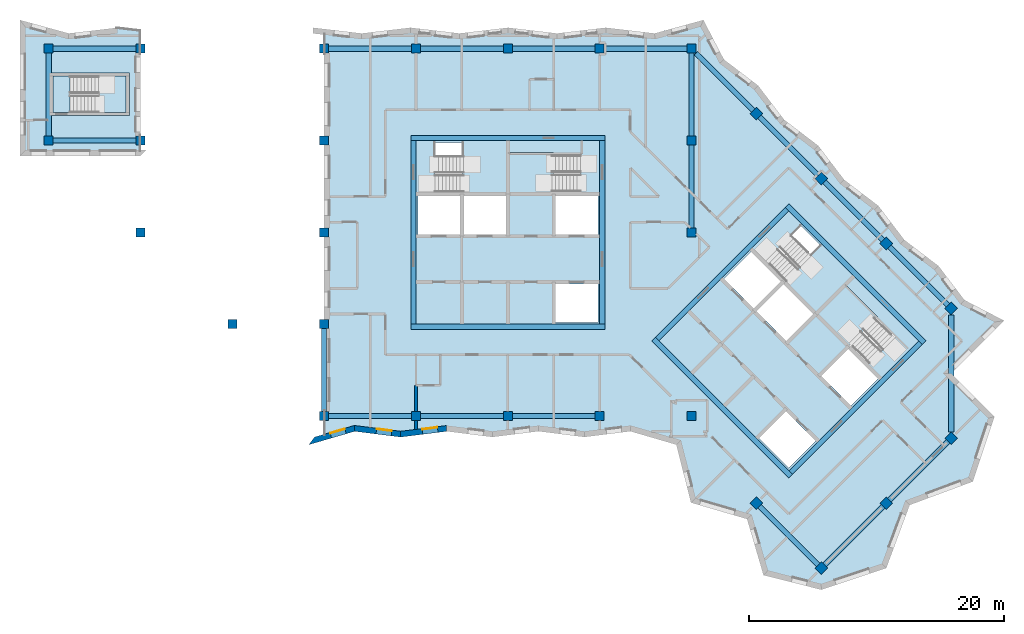
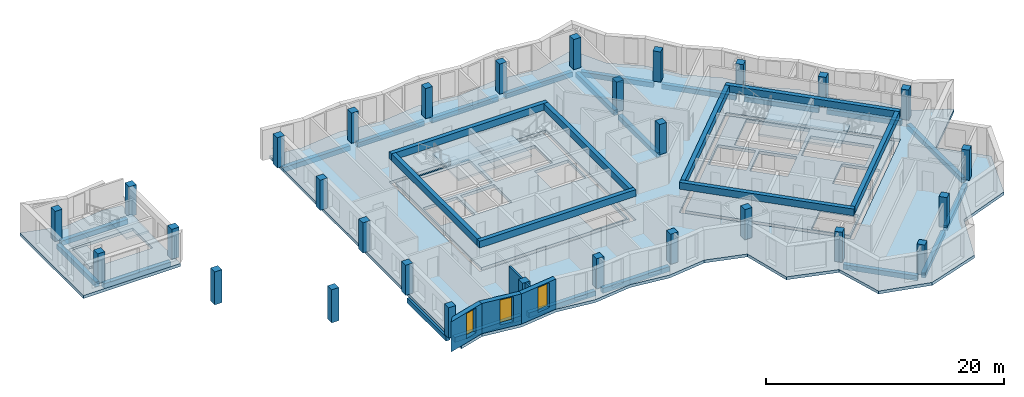
# One storey, part 1 of 12: 29 beams, 29 columns, 10 slabs, 5 walls, 3 windows, 18 openings, 5 elements without a shape of their own.
"""IFC4 building model written with IfcOpenShell, lengths in metres."""

from ifc_helpers import new_model, si_unit, direction, frame, frame_2d, origin, origin_2d, place, context, subcontext, project, spatial, polyline, rectangle, outline, extrude, material, layer, layer_set, material_profile, profile_set, type_object, element, fill, aggregate, save


model = new_model("IFC4")

# Units and contexts
model_context = context("Model", 3, precision=1e-05, world=origin(), true_north=direction((0.0, 1.0)))
body_context = subcontext(model_context, "Body", "Model", "MODEL_VIEW")
ifc_project = project(units=[si_unit("LENGTHUNIT", "METRE"), si_unit("AREAUNIT", "SQUARE_METRE"), si_unit("VOLUMEUNIT", "CUBIC_METRE"), si_unit("PLANEANGLEUNIT", "RADIAN"), si_unit("MASSUNIT", "GRAM", prefix="KILO")], contexts=[model_context])

# Site, building, storey
site_placement = place(None, origin())
site = spatial("IfcSite", under=ifc_project, at=site_placement, CompositionType="ELEMENT")
building_placement = place(site_placement, origin())
building = spatial("IfcBuilding", under=site, at=building_placement, Name="Windrow Commons", CompositionType="ELEMENT")
storey_placement = place(building_placement, frame((0.0, 0.0, 260.8)))
storey = spatial("IfcBuildingStorey", under=building, at=storey_placement, Name="L71", CompositionType="ELEMENT", Elevation=260.8)

# Columns
ifc_material_1 = material(Name="Concrete C40/50", Category="concrete")
ifc_material_profile_1 = material_profile(ifc_material_1, rectangle(XDim=0.7, YDim=0.7, at=origin_2d()))
ifc_profile_set_1 = profile_set([ifc_material_profile_1], Name="Concrete C40/50")
column_type = type_object("IfcColumnType", Name="RC COLUMN 700x700 C40/50", PredefinedType="COLUMN", material=ifc_profile_set_1)
for number, where, z_axis, x_axis, name in (
    (1, (28.8, 64.8, 0.0), (0.0, 0.0, 1.0), (1.0, 0.0, 0.0), "C-Z5-05I"),
    (2, (28.8, 72.0, 0.0), (0.0, 0.0, 1.0), (1.0, 0.0, 0.0), "C-Z5-05J"),
    (3, (36.0, 64.8, 0.0), (0.0, 0.0, 1.0), (1.0, 0.0, 0.0), "C-Z5-06I"),
    (4, (36.0, 72.0, 0.0), (0.0, 0.0, 1.0), (1.0, 0.0, 0.0), "C-Z5-06J"),
    (5, (50.4, 43.2, 0.0), (0.0, 0.0, 1.0), (1.0, 0.0, 0.0), "C-Z5-08F"),
    (6, (50.4, 50.4, 0.0), (0.0, 0.0, 1.0), (1.0, 0.0, 0.0), "C-Z5-08G"),
    (7, (50.4, 57.6, 0.0), (0.0, 0.0, 1.0), (1.0, 0.0, 0.0), "C-Z5-08H"),
    (8, (50.4, 64.8, 0.0), (0.0, 0.0, 1.0), (1.0, 0.0, 0.0), "C-Z5-08I"),
    (9, (50.4, 72.0, 0.0), (0.0, 0.0, 1.0), (1.0, 0.0, 0.0), "C-Z5-08J"),
    (10, (57.6, 43.2, 0.0), (0.0, 0.0, 1.0), (1.0, 0.0, 0.0), "C-Z5-09F"),
    (11, (57.6, 72.0, 0.0), (0.0, 0.0, 1.0), (1.0, 0.0, 0.0), "C-Z5-09J"),
    (12, (64.8, 43.2, 0.0), (0.0, 0.0, 1.0), (1.0, 0.0, 0.0), "C-Z5-10F"),
    (13, (64.8, 72.0, 0.0), (0.0, 0.0, 1.0), (1.0, 0.0, 0.0), "C-Z5-10J"),
    (14, (72.0, 43.2, 0.0), (0.0, 0.0, 1.0), (1.0, 0.0, 0.0), "C-Z5-11F"),
    (15, (72.0, 72.0, 0.0), (0.0, 0.0, 1.0), (1.0, 0.0, 0.0), "C-Z5-11J"),
    (16, (79.2, 43.2, 0.0), (0.0, 0.0, 1.0), (1.0, 0.0, 0.0), "C-Z5-12F"),
    (17, (79.2, 57.6, 0.0), (0.0, 0.0, 1.0), (1.0, 0.0, 0.0), "C-Z5-12H"),
    (18, (79.2, 64.8, 0.0), (0.0, 0.0, 1.0), (1.0, 0.0, 0.0), "C-Z5-12I"),
    (19, (79.2, 72.0, 0.0), (0.0, 0.0, 1.0), (1.0, 0.0, 0.0), "C-Z5-12J"),
    (20, (84.2912, 66.9088, 0.0), (0.0, 0.0, 1.0), (0.7071067812, -0.7071067812, 0.0), "C-Z5-P2Q"),
    (21, (89.3823, 61.8177, 0.0), (0.0, 0.0, 1.0), (0.7071067812, -0.7071067812, 0.0), "C-Z5-P3Q"),
    (22, (94.4735, 56.7265, 0.0), (0.0, 0.0, 1.0), (0.7071067812, -0.7071067812, 0.0), "C-Z5-P4Q"),
    (23, (99.5647, 51.6353, 0.0), (0.0, 0.0, 1.0), (0.7071067812, -0.7071067812, 0.0), "C-Z5-P5Q"),
    (24, (84.2912, 36.3618, 0.0), (0.0, 0.0, 1.0), (0.7071067812, -0.7071067812, 0.0), "C-Z5-P5T"),
    (25, (99.5647, 41.453, 0.0), (0.0, 0.0, 1.0), (0.7071067812, -0.7071067812, 0.0), "C-Z5-P6R"),
    (26, (94.4735, 36.3618, 0.0), (0.0, 0.0, 1.0), (0.7071067812, -0.7071067812, 0.0), "C-Z5-P6S"),
    (27, (89.3823, 31.2706, 0.0), (0.0, 0.0, 1.0), (0.7071067812, -0.7071067812, 0.0), "C-Z5-P6T"),
):
    element("IfcColumn", number, at=place(storey_placement, frame(where, z_axis=z_axis, x_axis=x_axis)), inside=storey, type_object=column_type, Name=name, PredefinedType="COLUMN", context=body_context, shape_type="SweptSolid", body=[
        extrude(rectangle(XDim=0.7, YDim=0.7, at=origin_2d()), origin(), (0.0, 0.0, 1.0), 3.1),
    ])
for number, where, z_axis, x_axis, name in (
    (28, (36.0, 57.6, -0.3), (0.0, 0.0, 1.0), (1.0, 0.0, 0.0), "C-Z5-06H"),
    (29, (43.2, 50.4, -0.3), (0.0, 0.0, 1.0), (1.0, 0.0, 0.0), "C-Z5-07G"),
):
    element("IfcColumn", number, at=place(storey_placement, frame(where, z_axis=z_axis, x_axis=x_axis)), inside=storey, type_object=column_type, Name=name, PredefinedType="COLUMN", context=body_context, shape_type="SweptSolid", body=[
        extrude(rectangle(XDim=0.7, YDim=0.7, at=origin_2d()), origin(), (0.0, 0.0, 1.0), 3.4),
    ])

# Beams
ifc_material_2 = material(Name="Concrete C40/50", Category="concrete")
ifc_material_profile_2 = material_profile(ifc_material_2, rectangle(XDim=0.4, YDim=0.7, at=origin_2d()))
ifc_profile_set_2 = profile_set([ifc_material_profile_2], Name="Concrete C40/50")
beam_type_1 = type_object("IfcBeamType", Name="RC COUPLING BEAM 400x700 C40/50", PredefinedType="LINTEL", material=ifc_profile_set_2)
for number, where, z_axis, x_axis, name in (
    (30, (57.2, 50.2, 2.75), (1.0, 0.0, 0.0), (0.0, 1.0, 0.0), "Core A coupling beam outer-S"),
    (31, (57.2, 65.0, 2.75), (1.0, 0.0, 0.0), (0.0, 1.0, 0.0), "Core A coupling beam outer-N"),
):
    element("IfcBeam", number, at=place(storey_placement, frame(where, z_axis=z_axis, x_axis=x_axis)), inside=storey, type_object=beam_type_1, Name=name, PredefinedType="LINTEL", context=body_context, shape_type="SweptSolid", body=[
        extrude(rectangle(XDim=0.4, YDim=0.7, at=origin_2d()), origin(), (0.0, 0.0, 1.0), 15.2),
    ])
for number, where, z_axis, x_axis, name in (
    (32, (57.4, 50.4, 2.75), (0.0, 1.0, 0.0), (-1.0, 0.0, 0.0), "Core A coupling beam outer-W"),
    (33, (72.2, 50.4, 2.75), (0.0, 1.0, 0.0), (-1.0, 0.0, 0.0), "Core A coupling beam outer-E"),
):
    element("IfcBeam", number, at=place(storey_placement, frame(where, z_axis=z_axis, x_axis=x_axis)), inside=storey, type_object=beam_type_1, Name=name, PredefinedType="LINTEL", context=body_context, shape_type="SweptSolid", body=[
        extrude(rectangle(XDim=0.4, YDim=0.7, at=origin_2d()), origin(), (0.0, 0.0, 1.0), 14.4),
    ])
for number, where, z_axis, x_axis, name in (
    (34, (76.2302, 49.2312, 2.75), (0.7071034917, -0.7071100706, 0.0), (0.7071100706, 0.7071034917, 0.0), "Core B coupling beam outer-S"),
    (35, (86.6953, 59.6963, 2.75), (0.7071100706, -0.7071034917, 0.0), (0.7071034917, 0.7071100706, 0.0), "Core B coupling beam outer-N"),
):
    element("IfcBeam", number, at=place(storey_placement, frame(where, z_axis=z_axis, x_axis=x_axis)), inside=storey, type_object=beam_type_1, Name=name, PredefinedType="LINTEL", context=body_context, shape_type="SweptSolid", body=[
        extrude(rectangle(XDim=0.4, YDim=0.7, at=origin_2d()), origin(), (0.0, 0.0, 1.0), 15.2),
    ])
for number, where, z_axis, x_axis, name in (
    (36, (76.513, 49.2312, 2.75), (0.7071067812, 0.7071067812, 0.0), (-0.7071067812, 0.7071067812, 0.0), "Core B coupling beam outer-W"),
    (37, (86.9782, 38.766, 2.75), (0.7071067812, 0.7071067812, 0.0), (-0.7071067812, 0.7071067812, 0.0), "Core B coupling beam outer-E"),
):
    element("IfcBeam", number, at=place(storey_placement, frame(where, z_axis=z_axis, x_axis=x_axis)), inside=storey, type_object=beam_type_1, Name=name, PredefinedType="LINTEL", context=body_context, shape_type="SweptSolid", body=[
        extrude(rectangle(XDim=0.4, YDim=0.7, at=origin_2d()), origin(), (0.0, 0.0, 1.0), 14.3999),
    ])
ifc_material_3 = material(Name="Concrete C40/50", Category="concrete")
ifc_material_profile_3 = material_profile(ifc_material_3, rectangle(XDim=0.4, YDim=0.5, at=origin_2d()))
ifc_profile_set_3 = profile_set([ifc_material_profile_3], Name="Concrete C40/50")
beam_type_2 = type_object("IfcBeamType", Name="RC EDGE BEAM 400x500 C40/50", PredefinedType="SPANDREL", material=ifc_profile_set_3)
for number, where, z_axis, x_axis, name in (
    (38, (57.25, 43.2, -0.55), (-1.0, 0.0, 0.0), (0.0, -1.0, 0.0), "Edge beam L71 001"),
    (39, (50.4, 43.55, -0.55), (0.0, 1.0, 0.0), (-1.0, 0.0, 0.0), "Edge beam L71 002"),
    (40, (35.65, 64.8, -0.55), (-1.0, 0.0, 0.0), (0.0, -1.0, 0.0), "Edge beam L71 003"),
    (41, (28.8, 65.15, -0.55), (0.0, 1.0, 0.0), (-1.0, 0.0, 0.0), "Edge beam L71 004"),
    (42, (29.15, 72.0, -0.55), (1.0, 0.0, 0.0), (0.0, 1.0, 0.0), "Edge beam L71 005"),
    (43, (50.75, 72.0, -0.55), (1.0, 0.0, 0.0), (0.0, 1.0, 0.0), "Edge beam L71 006"),
    (44, (57.95, 72.0, -0.55), (1.0, 0.0, 0.0), (0.0, 1.0, 0.0), "Edge beam L71 007"),
    (45, (65.15, 72.0, -0.55), (1.0, 0.0, 0.0), (0.0, 1.0, 0.0), "Edge beam L71 008"),
    (46, (72.35, 72.0, -0.55), (1.0, 0.0, 0.0), (0.0, 1.0, 0.0), "Edge beam L71 009"),
):
    element("IfcBeam", number, at=place(storey_placement, frame(where, z_axis=z_axis, x_axis=x_axis)), inside=storey, type_object=beam_type_2, Name=name, PredefinedType="SPANDREL", context=body_context, shape_type="SweptSolid", body=[
        extrude(rectangle(XDim=0.4, YDim=0.5, at=origin_2d()), origin(), (0.0, 0.0, 1.0), 6.5),
    ])
beam_1_placement = place(storey_placement, frame((79.55, 71.65, -0.55), z_axis=(0.7071067812, -0.7071067812, 0.0), x_axis=(0.7071067812, 0.7071067812, 0.0)))
element("IfcBeam", 47, at=beam_1_placement, inside=storey, type_object=beam_type_2, Name="Edge beam L71 010", PredefinedType="SPANDREL", context=body_context, shape_type="SweptSolid", body=[
    extrude(rectangle(XDim=0.4, YDim=0.5, at=origin_2d()), origin(), (0.0, 0.0, 1.0), 6.3551),
])
beam_2_placement = place(storey_placement, frame((84.5387, 66.6613, -0.55), z_axis=(0.7071067812, -0.7071067812, 0.0), x_axis=(0.7071067812, 0.7071067812, 0.0)))
element("IfcBeam", 48, at=beam_2_placement, inside=storey, type_object=beam_type_2, Name="Edge beam L71 011", PredefinedType="SPANDREL", context=body_context, shape_type="SweptSolid", body=[
    extrude(rectangle(XDim=0.4, YDim=0.5, at=origin_2d()), origin(), (0.0, 0.0, 1.0), 6.4999),
])
for number, where, z_axis, x_axis, name in (
    (49, (89.6298, 61.5702, -0.55), (0.7071067812, -0.7071067812, 0.0), (0.7071067812, 0.7071067812, 0.0), "Edge beam L71 012"),
    (50, (94.721, 56.479, -0.55), (0.7071067812, -0.7071067812, 0.0), (0.7071067812, 0.7071067812, 0.0), "Edge beam L71 013"),
):
    element("IfcBeam", number, at=place(storey_placement, frame(where, z_axis=z_axis, x_axis=x_axis)), inside=storey, type_object=beam_type_2, Name=name, PredefinedType="SPANDREL", context=body_context, shape_type="SweptSolid", body=[
        extrude(rectangle(XDim=0.4, YDim=0.5, at=origin_2d()), origin(), (0.0, 0.0, 1.0), 6.5),
    ])
beam_3_placement = place(storey_placement, frame((99.5647, 51.1403, -0.55), z_axis=(0.0, -1.0, 0.0), x_axis=(1.0, 0.0, 0.0)))
element("IfcBeam", 51, at=beam_3_placement, inside=storey, type_object=beam_type_2, Name="Edge beam L71 014", PredefinedType="SPANDREL", context=body_context, shape_type="SweptSolid", body=[
    extrude(rectangle(XDim=0.4, YDim=0.5, at=origin_2d()), origin(), (0.0, 0.0, 1.0), 9.1923),
])
for number, where, z_axis, x_axis, name in (
    (52, (99.3172, 41.2055, -0.55), (-0.7071067812, -0.7071067812, 0.0), (0.7071067812, -0.7071067812, 0.0), "Edge beam L71 015"),
    (53, (94.226, 36.1143, -0.55), (-0.7071067812, -0.7071067812, 0.0), (0.7071067812, -0.7071067812, 0.0), "Edge beam L71 016"),
):
    element("IfcBeam", number, at=place(storey_placement, frame(where, z_axis=z_axis, x_axis=x_axis)), inside=storey, type_object=beam_type_2, Name=name, PredefinedType="SPANDREL", context=body_context, shape_type="SweptSolid", body=[
        extrude(rectangle(XDim=0.4, YDim=0.5, at=origin_2d()), origin(), (0.0, 0.0, 1.0), 6.5),
    ])
beam_4_placement = place(storey_placement, frame((89.1348, 31.5181, -0.55), z_axis=(-0.7070990888, 0.7071144735, 0.0), x_axis=(-0.7071144735, -0.7070990888, 0.0)))
element("IfcBeam", 54, at=beam_4_placement, inside=storey, type_object=beam_type_2, Name="Edge beam L71 017", PredefinedType="SPANDREL", context=body_context, shape_type="SweptSolid", body=[
    extrude(rectangle(XDim=0.4, YDim=0.5, at=origin_2d()), origin(), (0.0, 0.0, 1.0), 6.4999),
])
for number, where, z_axis, x_axis, name in (
    (55, (71.65, 43.2, -0.55), (-1.0, 0.0, 0.0), (0.0, -1.0, 0.0), "Edge beam L71 018"),
    (56, (64.45, 43.2, -0.55), (-1.0, 0.0, 0.0), (0.0, -1.0, 0.0), "Edge beam L71 019"),
    (57, (79.2, 57.95, -0.55), (0.0, 1.0, 0.0), (-1.0, 0.0, 0.0), "Edge beam L71 020"),
    (58, (79.2, 65.15, -0.55), (0.0, 1.0, 0.0), (-1.0, 0.0, 0.0), "Edge beam L71 021"),
):
    element("IfcBeam", number, at=place(storey_placement, frame(where, z_axis=z_axis, x_axis=x_axis)), inside=storey, type_object=beam_type_2, Name=name, PredefinedType="SPANDREL", context=body_context, shape_type="SweptSolid", body=[
        extrude(rectangle(XDim=0.4, YDim=0.5, at=origin_2d()), origin(), (0.0, 0.0, 1.0), 6.5),
    ])

# Slab, openings
ifc_material_4 = material(Name="Concrete C40/50", Category="concrete")
ifc_layer_1 = layer(ifc_material_4, 0.3)
ifc_layer_set_1 = layer_set([ifc_layer_1], Name="CORE FLOOR SLAB 300 C40/50")
slab_type_1 = type_object("IfcSlabType", Name="CORE FLOOR SLAB 300 C40/50", PredefinedType="FLOOR", material=ifc_layer_set_1)
placement_1 = place(storey_placement, frame((0.0, 0.0, -0.3)))
slab_1 = element("IfcSlab", 59, at=placement_1, inside=storey, type_object=slab_type_1, Name="S-L71-core-A", PredefinedType="FLOOR", context=body_context, shape_type="SweptSolid", body=[
    extrude(outline(polyline([(57.6, 50.4), (72.0, 50.4), (72.0, 64.8), (57.6, 64.8), (57.6, 50.4)]), holes=[polyline([(68.55, 50.55), (71.85, 50.55), (71.85, 53.55), (68.55, 53.55), (68.55, 50.55)]), polyline([(57.75, 57.45), (61.05, 57.45), (61.05, 60.45), (57.75, 60.45), (57.75, 57.45)]), polyline([(61.35, 57.45), (64.65, 57.45), (64.65, 60.45), (61.35, 60.45), (61.35, 57.45)]), polyline([(68.55, 57.45), (71.85, 57.45), (71.85, 60.45), (68.55, 60.45), (68.55, 57.45)]), polyline([(59.1, 60.75), (64.65, 60.75), (64.65, 64.65), (59.1, 64.65), (59.1, 60.75)]), polyline([(64.95, 60.75), (70.5, 60.75), (70.5, 63.705), (64.95, 63.705), (64.95, 60.75)])]), origin(), (0.0, 0.0, 1.0), 0.3),
])
opening_1_placement = place(placement_1, origin())
element("IfcOpeningElement", 60, at=opening_1_placement, cuts=slab_1, Name="Slab opening S-L71-core-A 1", PredefinedType="OPENING", context=body_context, shape_type="SweptSolid", body=[
    extrude(outline(polyline([(68.555, 50.555), (68.555, 53.545), (71.845, 53.545), (71.845, 50.555), (68.555, 50.555)])), origin(), (0.0, 0.0, 1.0), 0.3),
])
opening_2_placement = place(placement_1, origin())
element("IfcOpeningElement", 61, at=opening_2_placement, cuts=slab_1, Name="Slab opening S-L71-core-A 2", PredefinedType="OPENING", context=body_context, shape_type="SweptSolid", body=[
    extrude(outline(polyline([(57.755, 57.455), (57.755, 60.445), (61.045, 60.445), (61.045, 57.455), (57.755, 57.455)])), origin(), (0.0, 0.0, 1.0), 0.3),
])
opening_3_placement = place(placement_1, origin())
element("IfcOpeningElement", 62, at=opening_3_placement, cuts=slab_1, Name="Slab opening S-L71-core-A 3", PredefinedType="OPENING", context=body_context, shape_type="SweptSolid", body=[
    extrude(outline(polyline([(61.355, 57.455), (61.355, 60.445), (64.645, 60.445), (64.645, 57.455), (61.355, 57.455)])), origin(), (0.0, 0.0, 1.0), 0.3),
])
opening_4_placement = place(placement_1, origin())
element("IfcOpeningElement", 63, at=opening_4_placement, cuts=slab_1, Name="Slab opening S-L71-core-A 4", PredefinedType="OPENING", context=body_context, shape_type="SweptSolid", body=[
    extrude(outline(polyline([(68.555, 57.455), (68.555, 60.445), (71.845, 60.445), (71.845, 57.455), (68.555, 57.455)])), origin(), (0.0, 0.0, 1.0), 0.3),
])
opening_5_placement = place(placement_1, origin())
element("IfcOpeningElement", 64, at=opening_5_placement, cuts=slab_1, Name="Slab opening S-L71-core-A 5", PredefinedType="OPENING", context=body_context, shape_type="SweptSolid", body=[
    extrude(outline(polyline([(59.105, 60.755), (59.105, 64.645), (64.645, 64.645), (64.645, 60.755), (59.105, 60.755)])), origin(), (0.0, 0.0, 1.0), 0.3),
])
opening_6_placement = place(placement_1, origin())
element("IfcOpeningElement", 65, at=opening_6_placement, cuts=slab_1, Name="Slab opening S-L71-core-A 6", PredefinedType="OPENING", context=body_context, shape_type="SweptSolid", body=[
    extrude(outline(polyline([(64.955, 60.755), (64.955, 63.7), (70.495, 63.7), (70.495, 60.755), (64.955, 60.755)])), origin(), (0.0, 0.0, 1.0), 0.3),
])

slab_2 = element("IfcSlab", 66, at=placement_1, inside=storey, type_object=slab_type_1, Name="S-L71-core-B", PredefinedType="FLOOR", context=body_context, shape_type="SweptSolid", body=[
    extrude(outline(polyline([(76.6544, 49.0897), (86.8368, 38.9074), (97.0191, 49.0897), (86.8368, 59.2721), (76.6544, 49.0897)]), holes=[polyline([(84.5033, 41.453), (86.8368, 39.1195), (88.9581, 41.2409), (86.6246, 43.5743), (84.5033, 41.453)]), polyline([(81.7456, 53.9688), (84.079, 51.6353), (86.2004, 53.7566), (83.8669, 56.0901), (81.7456, 53.9688)]), polyline([(84.2912, 51.4232), (86.6246, 49.0897), (88.7459, 51.2111), (86.4125, 53.5445), (84.2912, 51.4232)]), polyline([(89.3823, 46.332), (91.7158, 43.9986), (93.8371, 46.1199), (91.5037, 48.4533), (89.3823, 46.332)]), polyline([(85.0336, 55.3476), (88.9581, 51.4232), (91.7158, 54.1809), (87.7913, 58.1054), (85.0336, 55.3476)]), polyline([(89.1702, 51.2111), (93.0946, 47.2866), (95.1841, 49.3761), (91.2597, 53.3006), (89.1702, 51.2111)])]), origin(), (0.0, 0.0, 1.0), 0.3),
])
opening_7_placement = place(placement_1, origin())
element("IfcOpeningElement", 67, at=opening_7_placement, cuts=slab_2, Name="Slab opening S-L71-core-B 1", PredefinedType="OPENING", context=body_context, shape_type="SweptSolid", body=[
    extrude(outline(polyline([(84.5104, 41.453), (86.6246, 43.5672), (88.951, 41.2409), (86.8368, 39.1266), (84.5104, 41.453)])), origin(), (0.0, 0.0, 1.0), 0.3),
])
opening_8_placement = place(placement_1, origin())
element("IfcOpeningElement", 68, at=opening_8_placement, cuts=slab_2, Name="Slab opening S-L71-core-B 2", PredefinedType="OPENING", context=body_context, shape_type="SweptSolid", body=[
    extrude(outline(polyline([(81.7527, 53.9688), (83.8669, 56.083), (86.1933, 53.7566), (84.079, 51.6424), (81.7527, 53.9688)])), origin(), (0.0, 0.0, 1.0), 0.3),
])
opening_9_placement = place(placement_1, origin())
element("IfcOpeningElement", 69, at=opening_9_placement, cuts=slab_2, Name="Slab opening S-L71-core-B 3", PredefinedType="OPENING", context=body_context, shape_type="SweptSolid", body=[
    extrude(outline(polyline([(84.2983, 51.4232), (86.4125, 53.5374), (88.7388, 51.2111), (86.6246, 49.0968), (84.2983, 51.4232)])), origin(), (0.0, 0.0, 1.0), 0.3),
])
opening_10_placement = place(placement_1, origin())
element("IfcOpeningElement", 70, at=opening_10_placement, cuts=slab_2, Name="Slab opening S-L71-core-B 4", PredefinedType="OPENING", context=body_context, shape_type="SweptSolid", body=[
    extrude(outline(polyline([(89.3894, 46.332), (91.5037, 48.4462), (93.83, 46.1199), (91.7158, 44.0057), (89.3894, 46.332)])), origin(), (0.0, 0.0, 1.0), 0.3),
])
opening_11_placement = place(placement_1, origin())
element("IfcOpeningElement", 71, at=opening_11_placement, cuts=slab_2, Name="Slab opening S-L71-core-B 5", PredefinedType="OPENING", context=body_context, shape_type="SweptSolid", body=[
    extrude(outline(polyline([(85.0407, 55.3476), (87.7913, 58.0983), (91.7087, 54.1809), (88.9581, 51.4303), (85.0407, 55.3476)])), origin(), (0.0, 0.0, 1.0), 0.3),
])
opening_12_placement = place(placement_1, origin())
element("IfcOpeningElement", 72, at=opening_12_placement, cuts=slab_2, Name="Slab opening S-L71-core-B 6", PredefinedType="OPENING", context=body_context, shape_type="SweptSolid", body=[
    extrude(outline(polyline([(89.1773, 51.2111), (91.2597, 53.2935), (95.177, 49.3761), (93.0946, 47.2937), (89.1773, 51.2111)])), origin(), (0.0, 0.0, 1.0), 0.3),
])

# Slab
element("IfcSlab", 73, at=placement_1, inside=storey, type_object=slab_type_1, Name="S-L71-stub-stair", PredefinedType="FLOOR", context=body_context, shape_type="SweptSolid", body=[
    extrude(outline(polyline([(29.125, 67.0), (30.475, 67.0), (30.475, 69.85), (29.125, 69.85), (29.125, 67.0)])), origin(), (0.0, 0.0, 1.0), 0.3),
])

# Stair, slab
ifc_material_5 = material(Name="Concrete C40/50", Category="concrete")
stair_type = type_object("IfcStairType", Name="Core stair", PredefinedType="HALF_TURN_STAIR", material=ifc_material_5)
placement_2 = place(storey_placement, origin())
stair_1 = element("IfcStair", 74, at=placement_2, inside=storey, type_object=stair_type, Name="L71 Exit stair A1 core A", PredefinedType="HALF_TURN_STAIR")
ifc_material_6 = material(Name="Concrete C40/50", Category="concrete")
ifc_layer_2 = layer(ifc_material_6, 0.2)
ifc_layer_set_2 = layer_set([ifc_layer_2], Name="Core stair landing")
slab_type_2 = type_object("IfcSlabType", Name="Core stair landing", PredefinedType="LANDING", material=ifc_layer_set_2)
placement_3 = place(storey_placement, frame((0.0, 0.0, 1.5)))
slab_4 = element("IfcSlab", 75, at=placement_3, type_object=slab_type_2, Name="ST-A1 landing 1", PredefinedType="LANDING", context=body_context, shape_type="SweptSolid", body=[
    extrude(outline(polyline([(61.22, 60.5), (64.8, 60.5), (64.8, 64.9), (61.22, 64.9), (61.22, 60.5)])), origin(), (0.0, 0.0, 1.0), 0.2),
])
aggregate(stair_1, [slab_4])

stair_2 = element("IfcStair", 76, at=placement_2, inside=storey, type_object=stair_type, Name="L71 Exit stair A2 core A", PredefinedType="HALF_TURN_STAIR")
slab_5 = element("IfcSlab", 77, at=placement_3, type_object=slab_type_2, Name="ST-A2 landing 1", PredefinedType="LANDING", context=body_context, shape_type="SweptSolid", body=[
    extrude(outline(polyline([(64.8, 60.5), (68.38, 60.5), (68.38, 63.855), (64.8, 63.855), (64.8, 60.5)])), origin(), (0.0, 0.0, 1.0), 0.2),
])
aggregate(stair_2, [slab_5])

stair_3 = element("IfcStair", 78, at=placement_2, inside=storey, type_object=stair_type, Name="L71 Exit stair B1 core B", PredefinedType="HALF_TURN_STAIR")
slab_6 = element("IfcSlab", 79, at=placement_3, type_object=slab_type_2, Name="ST-B1 landing 1", PredefinedType="LANDING", context=body_context, shape_type="SweptSolid", body=[
    extrude(outline(polyline([(86.3559, 53.6718), (88.8874, 51.1403), (91.9986, 54.2516), (89.4672, 56.7831), (86.3559, 53.6718)])), origin(), (0.0, 0.0, 1.0), 0.2),
])
aggregate(stair_3, [slab_6])

stair_4 = element("IfcStair", 80, at=placement_2, inside=storey, type_object=stair_type, Name="L71 Exit stair B2 core B", PredefinedType="HALF_TURN_STAIR")
slab_7 = element("IfcSlab", 81, at=placement_3, type_object=slab_type_2, Name="ST-B2 landing 1", PredefinedType="LANDING", context=body_context, shape_type="SweptSolid", body=[
    extrude(outline(polyline([(88.8874, 51.1403), (91.4188, 48.6089), (93.7911, 50.9812), (91.2597, 53.5127), (88.8874, 51.1403)])), origin(), (0.0, 0.0, 1.0), 0.2),
])
aggregate(stair_4, [slab_7])

stair_5 = element("IfcStair", 82, at=placement_2, inside=storey, type_object=stair_type, Name="L71 Exit stair W", PredefinedType="HALF_TURN_STAIR")
slab_8 = element("IfcSlab", 83, at=placement_3, type_object=slab_type_2, Name="ST-W landing 1", PredefinedType="LANDING", context=body_context, shape_type="SweptSolid", body=[
    extrude(outline(polyline([(32.715, 67.0), (34.875, 67.0), (34.875, 69.85), (32.715, 69.85), (32.715, 67.0)])), origin(), (0.0, 0.0, 1.0), 0.2),
])
aggregate(stair_5, [slab_8])

# Slab, opening
ifc_material_7 = material(Name="Concrete C40/50", Category="concrete")
ifc_layer_3 = layer(ifc_material_7, 0.3)
ifc_layer_set_3 = layer_set([ifc_layer_3], Name="FLOOR SLAB 300 C40/50")
slab_type_3 = type_object("IfcSlabType", Name="FLOOR SLAB 300 C40/50", PredefinedType="FLOOR", material=ifc_layer_set_3)
slab_9 = element("IfcSlab", 84, at=placement_1, inside=storey, type_object=slab_type_3, Name="S-L71-floor-1", PredefinedType="FLOOR", context=body_context, shape_type="SweptSolid", body=[
    extrude(outline(polyline([(26.549, 63.6), (36.0, 63.6), (36.0, 73.4393), (37.8522, 73.2211), (34.2038, 73.651), (30.3764, 73.2), (26.549, 74.251), (26.549, 63.6)]), holes=[polyline([(28.875, 66.75), (28.875, 70.1), (35.125, 70.1), (35.125, 66.75), (28.875, 66.75)])]), origin(), (0.0, 0.0, 1.0), 0.3),
])
opening_13_placement = place(placement_1, origin())
element("IfcOpeningElement", 85, at=opening_13_placement, cuts=slab_9, Name="Slab opening S-L71-floor-1 1", PredefinedType="OPENING", context=body_context, shape_type="SweptSolid", body=[
    extrude(outline(polyline([(28.88, 66.755), (28.88, 70.095), (35.12, 70.095), (35.12, 66.755), (28.88, 66.755)])), origin(), (0.0, 0.0, 1.0), 0.3),
])

# Slab, openings
slab_10 = element("IfcSlab", 86, at=placement_1, inside=storey, type_object=slab_type_3, Name="S-L71-floor-2", PredefinedType="FLOOR", context=body_context, shape_type="SweptSolid", body=[
    extrude(outline(polyline([(84.8414, 30.7204), (89.3823, 29.5736), (94.4735, 31.2706), (96.312, 36.2204), (101.2617, 38.0588), (102.9588, 43.15), (99.5647, 46.5442), (103.702, 50.6815), (100.6018, 52.2953), (98.5638, 54.9711), (95.8879, 57.0092), (93.8499, 59.685), (91.174, 61.7231), (89.136, 64.3989), (86.4601, 66.437), (84.4221, 69.1128), (81.7462, 71.1509), (80.1324, 74.251), (76.305, 73.2), (72.4777, 73.651), (68.6503, 73.2), (64.8229, 73.651), (60.9955, 73.2), (57.1681, 73.651), (53.3407, 73.2), (49.5133, 73.651), (49.5133, 73.651), (50.4, 73.5465), (50.4, 41.2992), (52.8009, 42.0), (56.4017, 41.549), (60.0026, 42.0), (63.6035, 41.549), (67.2043, 42.0), (70.8052, 41.549), (74.406, 42.0), (78.0069, 40.949), (79.1537, 36.4081), (83.5532, 35.1199), (84.8414, 30.7204)]), holes=[polyline([(86.8368, 59.8378), (97.5848, 49.0897), (86.8368, 38.3417), (76.0887, 49.0897), (86.8368, 59.8378)]), polyline([(57.2, 65.2), (72.4, 65.2), (72.4, 50.0), (57.2, 50.0), (57.2, 65.2)])]), origin(), (0.0, 0.0, 1.0), 0.3),
])
opening_14_placement = place(placement_1, origin())
element("IfcOpeningElement", 87, at=opening_14_placement, cuts=slab_10, Name="Slab opening S-L71-floor-2 1", PredefinedType="OPENING", context=body_context, shape_type="SweptSolid", body=[
    extrude(outline(polyline([(86.8368, 59.8307), (97.5777, 49.0897), (86.8368, 38.3488), (76.0958, 49.0897), (86.8368, 59.8307)])), origin(), (0.0, 0.0, 1.0), 0.3),
])
opening_15_placement = place(placement_1, origin())
element("IfcOpeningElement", 88, at=opening_15_placement, cuts=slab_10, Name="Slab opening S-L71-floor-2 2", PredefinedType="OPENING", context=body_context, shape_type="SweptSolid", body=[
    extrude(outline(polyline([(57.205, 65.195), (72.395, 65.195), (72.395, 50.005), (57.205, 50.005), (57.205, 65.195)])), origin(), (0.0, 0.0, 1.0), 0.3),
])

# Wall, opening, window
ifc_material_8 = material(Name="Brick masonry, red clay brick", Category="masonry")
ifc_layer_4 = layer(ifc_material_8, 0.45)
ifc_layer_set_4 = layer_set([ifc_layer_4], Name="Brick facade wall 450")
wall_type_1 = type_object("IfcWallType", Name="Brick facade wall 450", PredefinedType="SOLIDWALL", material=ifc_layer_set_4)
wall_1_placement = place(storey_placement, frame((49.425, 41.2491, 0.0), z_axis=(0.0, 0.0, 1.0), x_axis=(0.9599538763, 0.2801580901, 0.0)))
wall_1 = element("IfcWall", 89, at=wall_1_placement, inside=storey, type_object=wall_type_1, Name="Brick facade wall L71 38", PredefinedType="SOLIDWALL", context=body_context, shape_type="SweptSolid", body=[
    extrude(outline(polyline([(-0.3001, -0.225), (3.451, -0.225), (3.5443, 0.225), (0.3001, 0.225), (-0.3001, -0.225)])), origin(), (0.0, 0.0, 1.0), 3.1),
])
opening_16_placement = place(wall_1_placement, frame((1.5567, 0.0, 0.45)))
opening_16 = element("IfcOpeningElement", 90, at=opening_16_placement, cuts=wall_1, Name="Opening W7F", PredefinedType="OPENING", context=body_context, shape_type="SweptSolid", body=[
    extrude(rectangle(XDim=1.2, YDim=2.55, at=frame_2d((0.6, 1.275))), frame((0.0, 0.235, 0.0), z_axis=(0.0, -1.0, 0.0), x_axis=(1.0, 0.0, 0.0)), (0.0, 0.0, 1.0), 0.47),
])
ifc_material_9 = material(Name="Clear float glass in anodised aluminium frame", Category="aluminium")
window_type = type_object("IfcWindowType", Name="Window W7 notch 1200x2550", PartitioningType="SINGLE_PANEL", PredefinedType="WINDOW", material=ifc_material_9)
window_1_placement = place(opening_16_placement, origin())
window_1 = element("IfcWindow", 91, at=window_1_placement, inside=storey, type_object=window_type, Name="Window L71 38.1", OverallHeight=2.55, OverallWidth=1.2, PartitioningType="SINGLE_PANEL", PredefinedType="WINDOW", context=body_context, shape_type="SweptSolid", body=[
    extrude(rectangle(XDim=1.2, YDim=2.55, at=frame_2d((0.6, 1.275))), frame((0.0, 0.205, 0.0), z_axis=(0.0, -1.0, 0.0), x_axis=(1.0, 0.0, 0.0)), (0.0, 0.0, 1.0), 0.06),
])
fill(opening_16, window_1)

wall_2_placement = place(storey_placement, frame((52.7826, 42.229, 0.0), z_axis=(0.0, 0.0, 1.0), x_axis=(0.9922504354, -0.124254068, 0.0)))
wall_2 = element("IfcWall", 92, at=wall_2_placement, inside=storey, type_object=wall_type_1, Name="Brick facade wall L71 39", PredefinedType="SOLIDWALL", context=body_context, shape_type="SweptSolid", body=[
    extrude(outline(polyline([(0.0466, -0.225), (3.6756, -0.225), (3.6193, 0.225), (-0.0466, 0.225), (0.0466, -0.225)])), origin(), (0.0, 0.0, 1.0), 3.1),
])
opening_17_placement = place(wall_2_placement, frame((1.7231, 0.0, 0.45)))
opening_17 = element("IfcOpeningElement", 93, at=opening_17_placement, cuts=wall_2, Name="Opening W7F", PredefinedType="OPENING", context=body_context, shape_type="SweptSolid", body=[
    extrude(rectangle(XDim=1.2, YDim=2.55, at=frame_2d((0.6, 1.275))), frame((0.0, 0.235, 0.0), z_axis=(0.0, -1.0, 0.0), x_axis=(1.0, 0.0, 0.0)), (0.0, 0.0, 1.0), 0.47),
])
window_2_placement = place(opening_17_placement, origin())
window_2 = element("IfcWindow", 94, at=window_2_placement, inside=storey, type_object=window_type, Name="Window L71 39.1", OverallHeight=2.55, OverallWidth=1.2, PartitioningType="SINGLE_PANEL", PredefinedType="WINDOW", context=body_context, shape_type="SweptSolid", body=[
    extrude(rectangle(XDim=1.2, YDim=2.55, at=frame_2d((0.6, 1.275))), frame((0.0, 0.205, 0.0), z_axis=(0.0, -1.0, 0.0), x_axis=(1.0, 0.0, 0.0)), (0.0, 0.0, 1.0), 0.06),
])
fill(opening_17, window_2)

wall_3_placement = place(storey_placement, frame((56.4017, 41.7758, 0.0), z_axis=(0.0, 0.0, 1.0), x_axis=(0.9922477484, 0.124275524, 0.0)))
wall_3 = element("IfcWall", 95, at=wall_3_placement, inside=storey, type_object=wall_type_1, Name="Brick facade wall L71 40", PredefinedType="SOLIDWALL", context=body_context, shape_type="SweptSolid", body=[
    extrude(outline(polyline([(-0.0282, -0.225), (3.6008, -0.225), (3.6572, 0.225), (0.0282, 0.225), (-0.0282, -0.225)])), origin(), (0.0, 0.0, 1.0), 3.1),
])
opening_18_placement = place(wall_3_placement, frame((1.7183, 0.0, 0.45)))
opening_18 = element("IfcOpeningElement", 96, at=opening_18_placement, cuts=wall_3, Name="Opening W7F", PredefinedType="OPENING", context=body_context, shape_type="SweptSolid", body=[
    extrude(rectangle(XDim=1.2, YDim=2.55, at=frame_2d((0.6, 1.275))), frame((0.0, 0.235, 0.0), z_axis=(0.0, -1.0, 0.0), x_axis=(1.0, 0.0, 0.0)), (0.0, 0.0, 1.0), 0.47),
])
window_3_placement = place(opening_18_placement, origin())
window_3 = element("IfcWindow", 97, at=window_3_placement, inside=storey, type_object=window_type, Name="Window L71 40.1", OverallHeight=2.55, OverallWidth=1.2, PartitioningType="SINGLE_PANEL", PredefinedType="WINDOW", context=body_context, shape_type="SweptSolid", body=[
    extrude(rectangle(XDim=1.2, YDim=2.55, at=frame_2d((0.6, 1.275))), frame((0.0, 0.205, 0.0), z_axis=(0.0, -1.0, 0.0), x_axis=(1.0, 0.0, 0.0)), (0.0, 0.0, 1.0), 0.06),
])
fill(opening_18, window_3)

# Walls
ifc_material_10 = material(Name="Blockwork partition", Category="masonry")
ifc_layer_5 = layer(ifc_material_10, 0.2)
ifc_layer_set_5 = layer_set([ifc_layer_5], Name="IW-PARTY-200")
wall_type_2 = type_object("IfcWallType", Name="IW-PARTY-200", PredefinedType="PARTITIONING", material=ifc_layer_set_5)
wall_4_placement = place(storey_placement, frame((57.6, 43.55, 0.0), z_axis=(0.0, 0.0, 1.0), x_axis=(0.0, 1.0, 0.0)))
element("IfcWall", 98, at=wall_4_placement, inside=storey, type_object=wall_type_2, Name="W-L71-W063", PredefinedType="PARTITIONING", context=body_context, shape_type="SweptSolid", body=[
    extrude(rectangle(XDim=2.05, YDim=0.2, at=frame_2d((1.025, 0.0))), origin(), (0.0, 0.0, 1.0), 3.1),
])
wall_5_placement = place(storey_placement, frame((57.6, 42.1526, 0.0), z_axis=(0.0, 0.0, 1.0), x_axis=(0.0, 1.0, 0.0)))
element("IfcWall", 99, at=wall_5_placement, inside=storey, type_object=wall_type_2, Name="W-L71-W087", PredefinedType="PARTITIONING", context=body_context, shape_type="SweptSolid", body=[
    extrude(rectangle(XDim=0.6974, YDim=0.2, at=frame_2d((0.3487, 0.0))), origin(), (0.0, 0.0, 1.0), 3.1),
])

save(model, "model.ifc")
